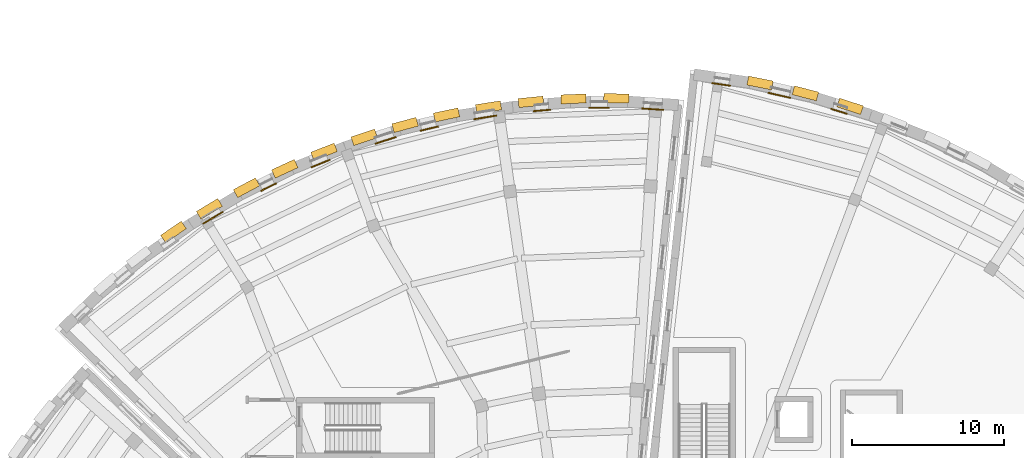
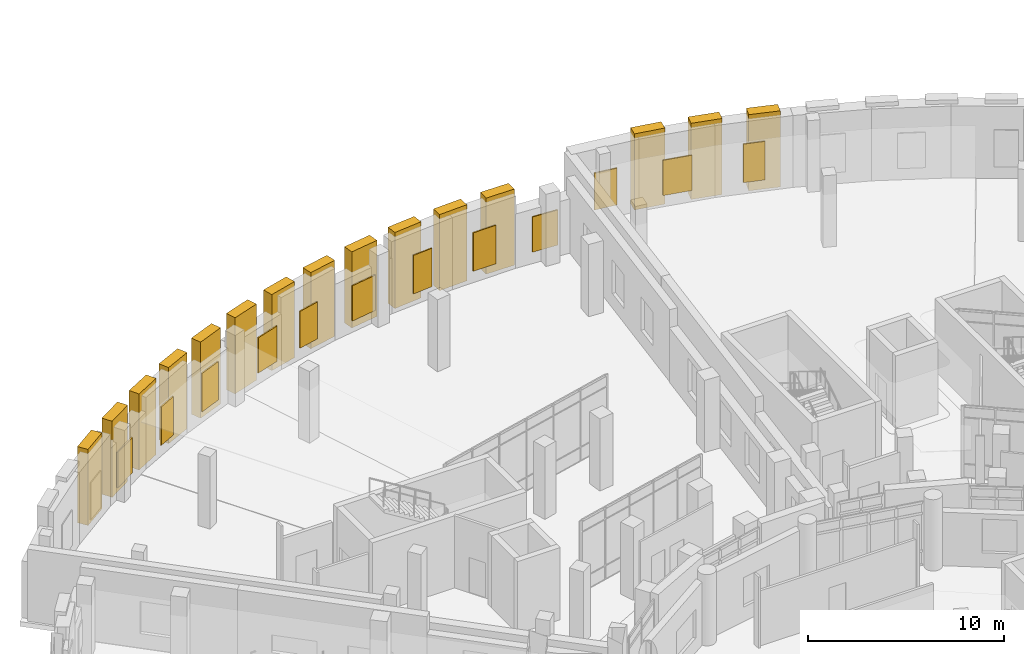
# One storey, part 85 of 89: 27 coverings.
"""IFC4 building model written with IfcOpenShell, lengths in metres."""

from ifc_helpers import new_model, si_unit, direction, frame, origin, origin_2d, place, context, subcontext, project, spatial, rectangle, extrude, material, type_object, element, save


model = new_model("IFC4")

# Units and contexts
model_context = context("Model", 3, precision=1e-05, world=origin(), true_north=direction((0.0, 1.0)))
body_context = subcontext(model_context, "Body", "Model", "MODEL_VIEW")
ifc_project = project(units=[si_unit("LENGTHUNIT", "METRE"), si_unit("AREAUNIT", "SQUARE_METRE"), si_unit("VOLUMEUNIT", "CUBIC_METRE"), si_unit("PLANEANGLEUNIT", "RADIAN"), si_unit("MASSUNIT", "GRAM", prefix="KILO")], contexts=[model_context])

# Site, building, storey
site_placement = place(None, origin())
site = spatial("IfcSite", under=ifc_project, at=site_placement, CompositionType="ELEMENT")
building_placement = place(site_placement, origin())
building = spatial("IfcBuilding", under=site, at=building_placement, Name="Soyqirgoq Riverine Aquarium", CompositionType="ELEMENT")
storey_placement = place(building_placement, frame((0.0, 0.0, 5.39990234375)))
storey = spatial("IfcBuildingStorey", under=building, at=storey_placement, Name="L02", CompositionType="ELEMENT", Elevation=5.39990234375)

# Coverings
ifc_material_1 = material(Name="Anodised extruded aluminium sunshade", Category="aluminium")
covering_type_1 = type_object("IfcCoveringType", Name="SolarShadingLouvre_450", PredefinedType="USERDEFINED", material=ifc_material_1)
covering_1_placement = place(storey_placement, frame((30.15380859375, 99.480712890625, 0.75), z_axis=(0.0, 0.0, 1.0), x_axis=(0.858691674181, 0.512492545011, 0.0)))
element("IfcCovering", 1, at=covering_1_placement, inside=storey, type_object=covering_type_1, Name="V4 L02 Travertine Niche Solar Shade 0046", ObjectType="SOLAR_SHADING", PredefinedType="USERDEFINED", context=body_context, shape_type="SweptSolid", body=[
    extrude(rectangle(XDim=1.5400390625, YDim=0.080078125, at=origin_2d()), origin(), (0.0, 0.0, 1.0), 2.199951171875),
])
covering_2_placement = place(storey_placement, frame((33.813232421875, 101.499755859375, 0.750244140625), z_axis=(0.0, 0.0, 1.0), x_axis=(0.894934361602, 0.44619781311, 0.0)))
element("IfcCovering", 2, at=covering_2_placement, inside=storey, type_object=covering_type_1, Name="V4 L02 Travertine Niche Solar Shade 0047", ObjectType="SOLAR_SHADING", PredefinedType="USERDEFINED", context=body_context, shape_type="SweptSolid", body=[
    extrude(rectangle(XDim=1.139892578125, YDim=0.080078125, at=origin_2d()), origin(), (0.0, 0.0, 1.0), 2.39990234375),
])
covering_3_placement = place(storey_placement, frame((37.239013671875, 103.048828125, 0.750244140625), z_axis=(0.0, 0.0, 1.0), x_axis=(0.926068294858, 0.377355950342, 0.0)))
element("IfcCovering", 3, at=covering_3_placement, inside=storey, type_object=covering_type_1, Name="V4 L02 Travertine Niche Solar Shade 0048", ObjectType="SOLAR_SHADING", PredefinedType="USERDEFINED", context=body_context, shape_type="SweptSolid", body=[
    extrude(rectangle(XDim=1.340087890625, YDim=0.080078125, at=origin_2d()), origin(), (0.0, 0.0, 1.0), 2.39990234375),
])
covering_4_placement = place(storey_placement, frame((41.5146484375, 104.57373046875, 0.75), z_axis=(0.0, 0.0, 1.0), x_axis=(0.951969200546, 0.306193796821, 0.0)))
element("IfcCovering", 4, at=covering_4_placement, inside=storey, type_object=covering_type_1, Name="V4 L02 Travertine Niche Solar Shade 0049", ObjectType="SOLAR_SHADING", PredefinedType="USERDEFINED", context=body_context, shape_type="SweptSolid", body=[
    extrude(rectangle(XDim=1.43994140625, YDim=0.080078125, at=origin_2d()), origin(), (0.0, 0.0, 1.0), 2.199951171875),
])
covering_5_placement = place(storey_placement, frame((44.39208984375, 105.35009765625, 0.75), z_axis=(0.0, 0.0, 1.0), x_axis=(0.972369920398, 0.233445363856, 0.0)))
element("IfcCovering", 5, at=covering_5_placement, inside=storey, type_object=covering_type_1, Name="V4 L02 Travertine Niche Solar Shade 0050", ObjectType="SOLAR_SHADING", PredefinedType="USERDEFINED", context=body_context, shape_type="SweptSolid", body=[
    extrude(rectangle(XDim=1.239990234375, YDim=0.080078125, at=origin_2d()), origin(), (0.0, 0.0, 1.0), 2.300048828125),
])
covering_6_placement = place(storey_placement, frame((48.07861328125, 106.0888671875, 0.75), z_axis=(0.0, 0.0, 1.0), x_axis=(0.987219843349, 0.15936430246, 0.0)))
element("IfcCovering", 6, at=covering_6_placement, inside=storey, type_object=covering_type_1, Name="V4 L02 Travertine Niche Solar Shade 0051", ObjectType="SOLAR_SHADING", PredefinedType="USERDEFINED", context=body_context, shape_type="SweptSolid", body=[
    extrude(rectangle(XDim=1.5400390625, YDim=0.080078125, at=origin_2d()), origin(), (0.0, 0.0, 1.0), 2.199951171875),
])
covering_7_placement = place(storey_placement, frame((51.810302734375, 106.547119140625, 0.750244140625), z_axis=(0.0, 0.0, 1.0), x_axis=(0.996448909038, 0.084199594279, 0.0)))
element("IfcCovering", 7, at=covering_7_placement, inside=storey, type_object=covering_type_1, Name="V4 L02 Travertine Niche Solar Shade 0052", ObjectType="SOLAR_SHADING", PredefinedType="USERDEFINED", context=body_context, shape_type="SweptSolid", body=[
    extrude(rectangle(XDim=1.139892578125, YDim=0.080078125, at=origin_2d()), origin(), (0.0, 0.0, 1.0), 2.39990234375),
])
covering_8_placement = place(storey_placement, frame((55.566162109375, 106.721923828125, 0.750244140625), z_axis=(0.0, 0.0, 1.0), x_axis=(0.999961923064, 0.008726535498, 0.0)))
element("IfcCovering", 8, at=covering_8_placement, inside=storey, type_object=covering_type_1, Name="V4 L02 Travertine Niche Solar Shade 0053", ObjectType="SOLAR_SHADING", PredefinedType="USERDEFINED", context=body_context, shape_type="SweptSolid", body=[
    extrude(rectangle(XDim=1.340087890625, YDim=0.080078125, at=origin_2d()), origin(), (0.0, 0.0, 1.0), 2.39990234375),
])
covering_9_placement = place(storey_placement, frame((59.094482421875, 106.628173828125, 0.75), z_axis=(0.0, 0.0, 1.0), x_axis=(0.997766630584, -0.066796338919, 0.0)))
element("IfcCovering", 9, at=covering_9_placement, inside=storey, type_object=covering_type_1, Name="V4 L02 Travertine Niche Solar Shade 0054", ObjectType="SOLAR_SHADING", PredefinedType="USERDEFINED", context=body_context, shape_type="SweptSolid", body=[
    extrude(rectangle(XDim=1.43994140625, YDim=0.080078125, at=origin_2d()), origin(), (0.0, 0.0, 1.0), 2.199951171875),
])
covering_10_placement = place(storey_placement, frame((63.614013671875, 108.25732421875, 0.75), z_axis=(0.0, 0.0, 1.0), x_axis=(0.98965138682, -0.143492621991, 0.0)))
element("IfcCovering", 10, at=covering_10_placement, inside=storey, type_object=covering_type_1, Name="V5 L02 Travertine Niche Solar Shade 0073", ObjectType="SOLAR_SHADING", PredefinedType="USERDEFINED", context=body_context, shape_type="SweptSolid", body=[
    extrude(rectangle(XDim=1.239990234375, YDim=0.080078125, at=origin_2d()), origin(), (0.0, 0.0, 1.0), 2.300048828125),
])
covering_11_placement = place(storey_placement, frame((67.436279296875, 107.541748046875, 0.75), z_axis=(0.0, 0.0, 1.0), x_axis=(0.975342320509, -0.220697435022, 0.0)))
element("IfcCovering", 11, at=covering_11_placement, inside=storey, type_object=covering_type_1, Name="V5 L02 Travertine Niche Solar Shade 0074", ObjectType="SOLAR_SHADING", PredefinedType="USERDEFINED", context=body_context, shape_type="SweptSolid", body=[
    extrude(rectangle(XDim=1.5400390625, YDim=0.080078125, at=origin_2d()), origin(), (0.0, 0.0, 1.0), 2.199951171875),
])
covering_12_placement = place(storey_placement, frame((71.36669921875, 106.48876953125, 0.750244140625), z_axis=(0.0, 0.0, 1.0), x_axis=(0.955019944457, -0.296541574976, 0.0)))
element("IfcCovering", 12, at=covering_12_placement, inside=storey, type_object=covering_type_1, Name="V5 L02 Travertine Niche Solar Shade 0075", ObjectType="SOLAR_SHADING", PredefinedType="USERDEFINED", context=body_context, shape_type="SweptSolid", body=[
    extrude(rectangle(XDim=1.139892578125, YDim=0.080078125, at=origin_2d()), origin(), (0.0, 0.0, 1.0), 2.39990234375),
])
ifc_material_2 = material(Name="Honed Uzbek travertine limestone vertical niche pier", Category="masonry")
covering_type_2 = type_object("IfcCoveringType", Name="TravertineNichePier_550", PredefinedType="CLADDING", material=ifc_material_2)
for number, where, z_axis, x_axis, name in (
    (13, (56.702880859375, 107.34521484375, 0.0), (0.0, 0.0, 1.0), (0.013962180339, 0.999902524009, 0.0), "V4 L02 Travertine Vertical Niche Pier 076"),
    (14, (53.8916015625, 107.305908203125, 0.0), (0.0, 0.0, 1.0), (-0.041875653729, 0.999122830099, 0.0), "V4 L02 Travertine Vertical Niche Pier 077"),
    (15, (51.086669921875, 107.109619140625, 0.0), (0.0, 0.0, 1.0), (-0.097582899759, 0.995227399982, 0.0), "V4 L02 Travertine Vertical Niche Pier 078"),
    (16, (48.297119140625, 106.75732421875, 0.0), (0.0, 0.0, 1.0), (-0.152985836284, 0.988228381447, 0.0), "V4 L02 Travertine Vertical Niche Pier 079"),
    (17, (45.531494140625, 106.249755859375, 0.0), (0.0, 0.0, 1.0), (-0.207911690818, 0.978147600734, 0.0), "V4 L02 Travertine Vertical Niche Pier 080"),
    (18, (42.798828125, 105.588623046875, 0.0), (0.0, 0.0, 1.0), (-0.262189178641, 0.965016494472, 0.0), "V4 L02 Travertine Vertical Niche Pier 081"),
    (19, (40.107177734375, 104.77587890625, 0.0), (0.0, 0.0, 1.0), (-0.315649036947, 0.948876011644, 0.0), "V4 L02 Travertine Vertical Niche Pier 082"),
    (20, (37.46484375, 103.814208984375, 0.0), (0.0, 0.0, 1.0), (-0.368124552685, 0.929776485888, 0.0), "V4 L02 Travertine Vertical Niche Pier 083"),
    (21, (34.880615234375, 102.70654296875, 0.0), (0.0, 0.0, 1.0), (-0.419452082446, 0.907777478533, 0.0), "V4 L02 Travertine Vertical Niche Pier 084"),
    (22, (32.362060546875, 101.456298828125, 0.0), (0.0, 0.0, 1.0), (-0.469471562786, 0.882947592859, 0.0), "V4 L02 Travertine Vertical Niche Pier 085"),
    (23, (29.917236328125, 100.067626953125, 0.0), (0.0, 0.0, 1.0), (-0.518027009373, 0.855364260161, 0.0), "V4 L02 Travertine Vertical Niche Pier 086"),
    (24, (27.553955078125, 98.54443359375, 0.0), (0.0, 0.0, 1.0), (-0.564967003425, 0.825113498278, 0.0), "V4 L02 Travertine Vertical Niche Pier 087"),
    (25, (72.0966796875, 106.813720703125, 0.0), (0.0, 0.0, 1.0), (0.307522697673, 0.951540745537, 0.0), "V5 L02 Travertine Vertical Niche Pier 140"),
    (26, (69.155029296875, 107.670166015625, 0.0), (0.0, 0.0, 1.0), (0.251224776808, 0.96792877399, 0.0), "V5 L02 Travertine Vertical Niche Pier 141"),
    (27, (66.168212890625, 108.35302734375, 0.0), (0.0, 0.0, 1.0), (0.19423435122, 0.980955155349, 0.0), "V5 L02 Travertine Vertical Niche Pier 142"),
):
    element("IfcCovering", number, at=place(storey_placement, frame(where, z_axis=z_axis, x_axis=x_axis)), inside=storey, type_object=covering_type_2, Name=name, PredefinedType="CLADDING", context=body_context, shape_type="SweptSolid", body=[
        extrude(rectangle(XDim=0.60009765625, YDim=1.64990234375, at=origin_2d()), origin(), (0.0, 0.0, 1.0), 4.75),
    ])

save(model, "model.ifc")
